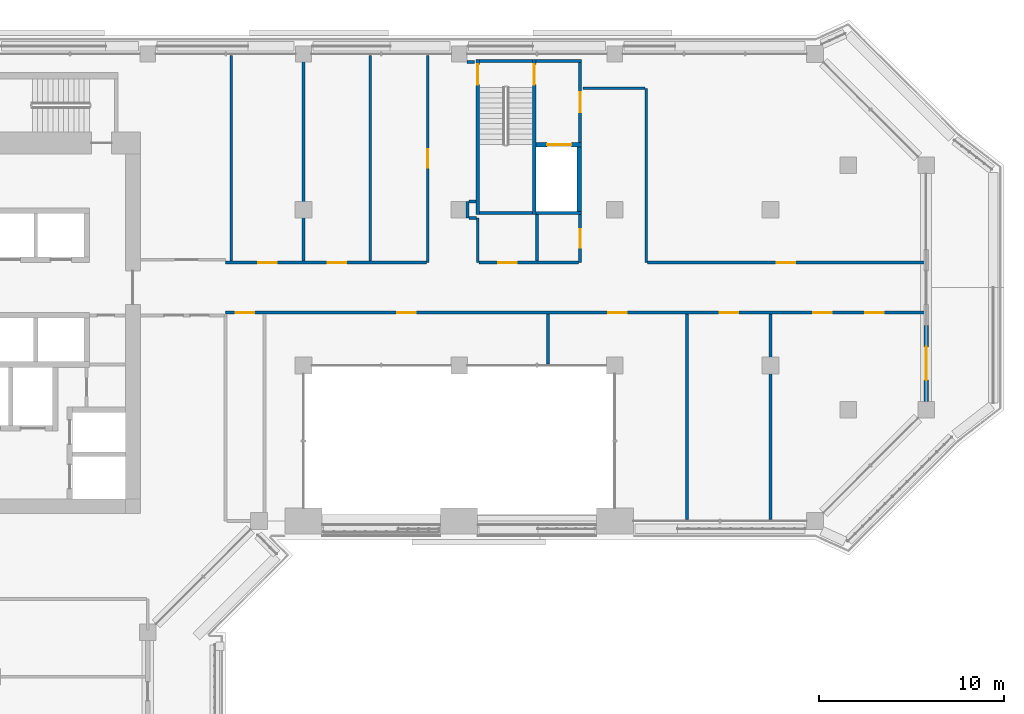
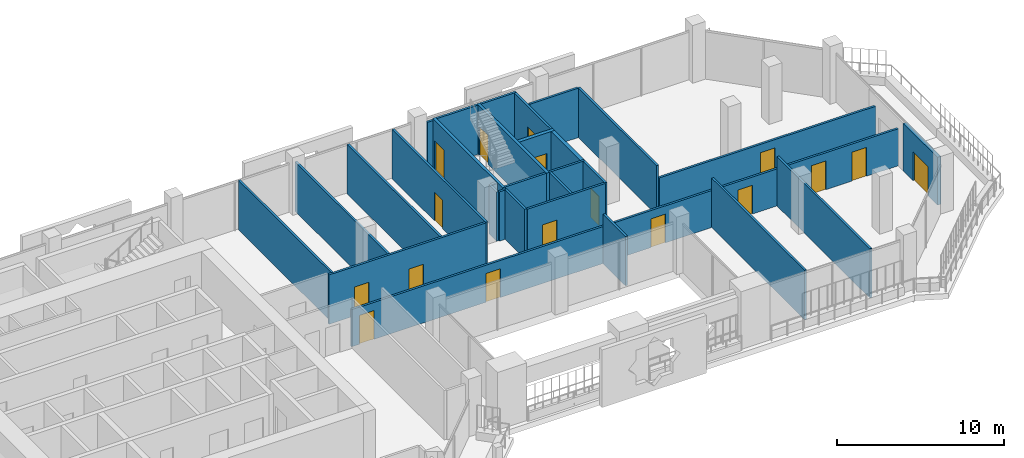
# One storey, part 15 of 23: 30 walls, 17 doors, 17 openings.
"""IFC4 building model written with IfcOpenShell, lengths in metres."""

from ifc_helpers import new_model, si_unit, direction, frame, frame_2d, origin, place, context, subcontext, project, spatial, rectangle, extrude, material, layer, layer_set, type_object, element, fill, save


model = new_model("IFC4")

# Units and contexts
model_context = context("Model", 3, precision=1e-05, world=origin(), true_north=direction((0.0, 1.0)))
body_context = subcontext(model_context, "Body", "Model", "MODEL_VIEW")
ifc_project = project(units=[si_unit("LENGTHUNIT", "METRE"), si_unit("AREAUNIT", "SQUARE_METRE"), si_unit("VOLUMEUNIT", "CUBIC_METRE"), si_unit("PLANEANGLEUNIT", "RADIAN"), si_unit("MASSUNIT", "GRAM", prefix="KILO")], contexts=[model_context])

# Site, building, storey
site_placement = place(None, origin())
site = spatial("IfcSite", under=ifc_project, at=site_placement, CompositionType="ELEMENT")
building_placement = place(site_placement, origin())
building = spatial("IfcBuilding", under=site, at=building_placement, Name="Kawkab Arch Medical Tower", CompositionType="ELEMENT")
storey_placement = place(building_placement, frame((0.0, 0.0, 226.39990234375)))
storey = spatial("IfcBuildingStorey", under=building, at=storey_placement, Name="L52", CompositionType="ELEMENT", Elevation=226.39990234375)

# Wall, opening, door
ifc_material_1 = material(Name="Gypsum board on steel studs", Category="steel")
ifc_layer_1 = layer(ifc_material_1, 0.14990234375)
ifc_layer_set_1 = layer_set([ifc_layer_1], Name="Gypsum board on steel studs")
wall_type_1 = type_object("IfcWallType", Name="Core room partition 150", PredefinedType="PARTITIONING", material=ifc_layer_set_1)
wall_1_placement = place(storey_placement, frame((48.52490234375, -4.77490234375, 0.0), z_axis=(0.0, 0.0, 1.0), x_axis=(0.0, 1.0, 0.0)))
wall_1 = element("IfcWall", 1, at=wall_1_placement, inside=storey, type_object=wall_type_1, Name="L52 core room partition", PredefinedType="PARTITIONING", context=body_context, shape_type="SweptSolid", body=[
    extrude(rectangle(XDim=4.324951171875, YDim=0.14990234375, at=frame_2d((2.16259765625, 0.0))), origin(), (0.0, 0.0, 1.0), 3.60009765625),
])
opening_1_placement = place(wall_1_placement, frame((1.625, 0.0, 0.0)))
opening_1 = element("IfcOpeningElement", 2, at=opening_1_placement, cuts=wall_1, Name="Opening FD", PredefinedType="OPENING", context=body_context, shape_type="SweptSolid", body=[
    extrude(rectangle(XDim=1.10009765625, YDim=2.10009765625, at=frame_2d((0.550048828125, 1.050048828125))), frame((0.0, 0.0849609375, 0.0), z_axis=(0.0, -1.0, 0.0), x_axis=(1.0, 0.0, 0.0)), (0.0, 0.0, 1.0), 0.169921875),
])
ifc_material_2 = material(Name="Hollow metal fire door leaf")
door_type_1 = type_object("IfcDoorType", Name="Firefighting lobby door 1100", OperationType="SINGLE_SWING_LEFT", PredefinedType="DOOR", material=ifc_material_2)
door_1_placement = place(opening_1_placement, origin())
door_1 = element("IfcDoor", 3, at=door_1_placement, inside=storey, type_object=door_type_1, Name="L52 Service lift lobby door SV1", OperationType="SINGLE_SWING_LEFT", OverallHeight=2.10009765625, OverallWidth=1.10009765625, PredefinedType="DOOR", context=body_context, shape_type="SweptSolid", body=[
    extrude(rectangle(XDim=1.10009765625, YDim=2.10009765625, at=frame_2d((0.550048828125, 1.050048828125))), frame((0.0, 0.02490234375, 0.0), z_axis=(0.0, -1.0, 0.0), x_axis=(1.0, 0.0, 0.0)), (0.0, 0.0, 1.0), 0.050048828125),
])
fill(opening_1, door_1)

ifc_material_3 = material(Name="Concrete C60/75", Category="concrete")
ifc_layer_2 = layer(ifc_material_3, 0.25)
ifc_layer_set_2 = layer_set([ifc_layer_2], Name="Concrete C60/75")
wall_type_2 = type_object("IfcWallType", Name="Core shear wall 250 C60/75", PredefinedType="SHEAR", material=ifc_layer_set_2)
wall_2_placement = place(storey_placement, frame((46.14990234375, -4.89990234375, 0.0), z_axis=(0.0, 0.0, 1.0), x_axis=(1.0, 0.0, 0.0)))
wall_2 = element("IfcWall", 4, at=wall_2_placement, inside=storey, type_object=wall_type_2, Name="L52 core shear wall", PredefinedType="SHEAR", context=body_context, shape_type="SweptSolid", body=[
    extrude(rectangle(XDim=2.4501953125, YDim=0.25, at=frame_2d((1.22509765625, 0.0))), origin(), (0.0, 0.0, 1.0), 3.60009765625),
])
opening_2_placement = place(wall_2_placement, frame((0.60009765625, 0.0, 0.0)))
opening_2 = element("IfcOpeningElement", 5, at=opening_2_placement, cuts=wall_2, Name="Opening LD2", PredefinedType="OPENING", context=body_context, shape_type="SweptSolid", body=[
    extrude(rectangle(XDim=1.300048828125, YDim=2.10009765625, at=frame_2d((0.64990234375, 1.050048828125))), frame((0.0, 0.135009765625, 0.0), z_axis=(0.0, -1.0, 0.0), x_axis=(1.0, 0.0, 0.0)), (0.0, 0.0, 1.0), 0.27001953125),
])
ifc_material_4 = material(Name="Stainless steel lift door leaf", Category="steel")
door_type_2 = type_object("IfcDoorType", Name="Lift landing door 1300", OperationType="DOUBLE_DOOR_SLIDING", PredefinedType="DOOR", material=ifc_material_4)
door_2_placement = place(opening_2_placement, origin())
door_2 = element("IfcDoor", 6, at=door_2_placement, inside=storey, type_object=door_type_2, Name="L52 Lift landing door SV1", OperationType="DOUBLE_DOOR_SLIDING", OverallHeight=2.10009765625, OverallWidth=1.300048828125, PredefinedType="DOOR", context=body_context, shape_type="SweptSolid", body=[
    extrude(rectangle(XDim=1.300048828125, YDim=2.10009765625, at=frame_2d((0.64990234375, 1.050048828125))), frame((0.0, 0.02490234375, 0.0), z_axis=(0.0, -1.0, 0.0), x_axis=(1.0, 0.0, 0.0)), (0.0, 0.0, 1.0), 0.050048828125),
])
fill(opening_2, door_2)

# Wall
wall_3_placement = place(storey_placement, frame((48.47509765625, -8.5, 0.0), z_axis=(0.0, 0.0, 1.0), x_axis=(0.0, 1.0, 0.0)))
element("IfcWall", 7, at=wall_3_placement, inside=storey, type_object=wall_type_2, Name="L52 core shear wall", PredefinedType="SHEAR", context=body_context, shape_type="SweptSolid", body=[
    extrude(rectangle(XDim=3.47509765625, YDim=0.25, at=frame_2d((1.737548828125, 0.0))), origin(), (0.0, 0.0, 1.0), 3.60009765625),
])

# Wall, opening, door
ifc_material_5 = material(Name="Bronze clad insulated wall panel")
ifc_layer_3 = layer(ifc_material_5, 0.25)
ifc_layer_set_3 = layer_set([ifc_layer_3], Name="Bronze clad insulated wall panel")
wall_type_3 = type_object("IfcWallType", Name="External wall bay 250", PredefinedType="SOLIDWALL", material=ifc_layer_set_3)
wall_4_placement = place(storey_placement, frame((67.199951171875, -18.75, 0.0), z_axis=(0.0, 0.0, 1.0), x_axis=(0.0, 1.0, 0.0)))
wall_4 = element("IfcWall", 8, at=wall_4_placement, inside=storey, type_object=wall_type_3, Name="External wall bay L52.R07.1.1", PredefinedType="SOLIDWALL", context=body_context, shape_type="SweptSolid", body=[
    extrude(rectangle(XDim=4.10009765625, YDim=0.25, at=frame_2d((2.050048828125, 0.0))), origin(), (0.0, 0.0, 1.0), 3.47998046875),
])
opening_3_placement = place(wall_4_placement, frame((1.14990234375, 0.0, 0.0)))
opening_3 = element("IfcOpeningElement", 9, at=opening_3_placement, cuts=wall_4, Name="Opening B52-701", PredefinedType="OPENING", context=body_context, shape_type="SweptSolid", body=[
    extrude(rectangle(XDim=1.800048828125, YDim=2.10009765625, at=frame_2d((0.89990234375, 1.050048828125))), frame((0.0, 0.135009765625, 0.0), z_axis=(0.0, -1.0, 0.0), x_axis=(1.0, 0.0, 0.0)), (0.0, 0.0, 1.0), 0.27001953125),
])
ifc_material_6 = material(Name="Bronze anodised aluminium door with tinted glass", Category="aluminium")
door_type_3 = type_object("IfcDoorType", Name="Double external door 1800 x 2100", OperationType="DOUBLE_DOOR_SINGLE_SWING", PredefinedType="DOOR", material=ifc_material_6)
door_3_placement = place(opening_3_placement, origin())
door_3 = element("IfcDoor", 10, at=door_3_placement, inside=storey, type_object=door_type_3, Name="External door L52.R07.1.1", OperationType="DOUBLE_DOOR_SINGLE_SWING", OverallHeight=2.10009765625, OverallWidth=1.800048828125, PredefinedType="DOOR", context=body_context, shape_type="SweptSolid", body=[
    extrude(rectangle(XDim=1.800048828125, YDim=2.10009765625, at=frame_2d((0.89990234375, 1.050048828125))), frame((0.0, 0.02490234375, 0.0), z_axis=(0.0, -1.0, 0.0), x_axis=(1.0, 0.0, 0.0)), (0.0, 0.0, 1.0), 0.050048828125),
])
fill(opening_3, door_3)

# Wall, openings, doors
ifc_material_7 = material(Name="Gypsum board partition on steel studs, mineral wool", Category="steel")
ifc_layer_4 = layer(ifc_material_7, 0.14990234375)
ifc_layer_set_4 = layer_set([ifc_layer_4], Name="Gypsum board partition on steel studs, mineral wool")
wall_type_4 = type_object("IfcWallType", Name="Partition 150", PredefinedType="PARTITIONING", material=ifc_layer_set_4)
wall_5_placement = place(storey_placement, frame((29.39990234375, -13.949951171875, 0.0), z_axis=(0.0, 0.0, 1.0), x_axis=(1.0, 0.0, 0.0)))
wall_5 = element("IfcWall", 11, at=wall_5_placement, inside=storey, type_object=wall_type_4, Name="Partition 150 w015", PredefinedType="PARTITIONING", context=body_context, shape_type="SweptSolid", body=[
    extrude(rectangle(XDim=37.72021484375, YDim=0.14990234375, at=frame_2d((18.860107421875, 0.0))), origin(), (0.0, 0.0, 1.0), 2.7001953125),
])
opening_4_placement = place(wall_5_placement, frame((20.64990234375, 0.0, 0.0)))
opening_4 = element("IfcOpeningElement", 12, at=opening_4_placement, cuts=wall_5, Name="Opening B52-011", PredefinedType="OPENING", context=body_context, shape_type="SweptSolid", body=[
    extrude(rectangle(XDim=1.0, YDim=2.10009765625, at=frame_2d((0.5, 1.050048828125))), frame((0.0, 0.0849609375, 0.0), z_axis=(0.0, -1.0, 0.0), x_axis=(1.0, 0.0, 0.0)), (0.0, 0.0, 1.0), 0.169921875),
])
opening_5_placement = place(wall_5_placement, frame((26.64990234375, 0.0, 0.0)))
opening_5 = element("IfcOpeningElement", 13, at=opening_5_placement, cuts=wall_5, Name="Opening B52-012", PredefinedType="OPENING", context=body_context, shape_type="SweptSolid", body=[
    extrude(rectangle(XDim=1.0, YDim=2.10009765625, at=frame_2d((0.5, 1.050048828125))), frame((0.0, 0.0849609375, 0.0), z_axis=(0.0, -1.0, 0.0), x_axis=(1.0, 0.0, 0.0)), (0.0, 0.0, 1.0), 0.169921875),
])
opening_6_placement = place(wall_5_placement, frame((34.5, 0.0, 0.0)))
opening_6 = element("IfcOpeningElement", 14, at=opening_6_placement, cuts=wall_5, Name="Opening B52-013", PredefinedType="OPENING", context=body_context, shape_type="SweptSolid", body=[
    extrude(rectangle(XDim=1.0, YDim=2.10009765625, at=frame_2d((0.5, 1.050048828125))), frame((0.0, 0.0849609375, 0.0), z_axis=(0.0, -1.0, 0.0), x_axis=(1.0, 0.0, 0.0)), (0.0, 0.0, 1.0), 0.169921875),
])
opening_7_placement = place(wall_5_placement, frame((31.699951171875, 0.0, 0.0)))
opening_7 = element("IfcOpeningElement", 15, at=opening_7_placement, cuts=wall_5, Name="Opening B52-014", PredefinedType="OPENING", context=body_context, shape_type="SweptSolid", body=[
    extrude(rectangle(XDim=1.0, YDim=2.10009765625, at=frame_2d((0.5, 1.050048828125))), frame((0.0, 0.0849609375, 0.0), z_axis=(0.0, -1.0, 0.0), x_axis=(1.0, 0.0, 0.0)), (0.0, 0.0, 1.0), 0.169921875),
])
opening_8_placement = place(wall_5_placement, frame((0.550048828125, 0.0, 0.0)))
opening_8 = element("IfcOpeningElement", 16, at=opening_8_placement, cuts=wall_5, Name="Opening B52-002", PredefinedType="OPENING", context=body_context, shape_type="SweptSolid", body=[
    extrude(rectangle(XDim=1.0, YDim=2.10009765625, at=frame_2d((0.5, 1.050048828125))), frame((0.0, 0.0849609375, 0.0), z_axis=(0.0, -1.0, 0.0), x_axis=(1.0, 0.0, 0.0)), (0.0, 0.0, 1.0), 0.169921875),
])
opening_9_placement = place(wall_5_placement, frame((9.25, 0.0, 0.0)))
opening_9 = element("IfcOpeningElement", 17, at=opening_9_placement, cuts=wall_5, Name="Opening B52-022", PredefinedType="OPENING", context=body_context, shape_type="SweptSolid", body=[
    extrude(rectangle(XDim=1.0, YDim=2.10009765625, at=frame_2d((0.5, 1.050048828125))), frame((0.0, 0.0849609375, 0.0), z_axis=(0.0, -1.0, 0.0), x_axis=(1.0, 0.0, 0.0)), (0.0, 0.0, 1.0), 0.169921875),
])
ifc_material_8 = material(Name="Timber door leaf", Category="wood")
door_type_4 = type_object("IfcDoorType", Name="Single door 1000x2100", OperationType="NOTDEFINED", PredefinedType="DOOR", material=ifc_material_8)
door_4_placement = place(opening_8_placement, origin())
door_4 = element("IfcDoor", 18, at=door_4_placement, inside=storey, type_object=door_type_4, Name="Door B52-002", OperationType="SINGLE_SWING_RIGHT", OverallHeight=2.10009765625, OverallWidth=1.0, PredefinedType="DOOR", context=body_context, shape_type="SweptSolid", body=[
    extrude(rectangle(XDim=1.0, YDim=2.10009765625, at=frame_2d((0.5, 1.050048828125))), frame((0.0, 0.02490234375, 0.0), z_axis=(0.0, -1.0, 0.0), x_axis=(1.0, 0.0, 0.0)), (0.0, 0.0, 1.0), 0.050048828125),
])
fill(opening_8, door_4)
ifc_material_9 = material(Name="Hollow metal door leaf")
door_type_5 = type_object("IfcDoorType", Name="Single door 1000x2100 FD30S", OperationType="NOTDEFINED", PredefinedType="DOOR", material=ifc_material_9)
door_5_placement = place(opening_4_placement, origin())
door_5 = element("IfcDoor", 19, at=door_5_placement, inside=storey, type_object=door_type_5, Name="Door B52-011", OperationType="SINGLE_SWING_LEFT", OverallHeight=2.10009765625, OverallWidth=1.0, PredefinedType="DOOR", context=body_context, shape_type="SweptSolid", body=[
    extrude(rectangle(XDim=1.0, YDim=2.10009765625, at=frame_2d((0.5, 1.050048828125))), frame((0.0, 0.02490234375, 0.0), z_axis=(0.0, -1.0, 0.0), x_axis=(1.0, 0.0, 0.0)), (0.0, 0.0, 1.0), 0.050048828125),
])
fill(opening_4, door_5)
door_6_placement = place(opening_5_placement, origin())
door_6 = element("IfcDoor", 20, at=door_6_placement, inside=storey, type_object=door_type_5, Name="Door B52-012", OperationType="SINGLE_SWING_LEFT", OverallHeight=2.10009765625, OverallWidth=1.0, PredefinedType="DOOR", context=body_context, shape_type="SweptSolid", body=[
    extrude(rectangle(XDim=1.0, YDim=2.10009765625, at=frame_2d((0.5, 1.050048828125))), frame((0.0, 0.02490234375, 0.0), z_axis=(0.0, -1.0, 0.0), x_axis=(1.0, 0.0, 0.0)), (0.0, 0.0, 1.0), 0.050048828125),
])
fill(opening_5, door_6)
door_7_placement = place(opening_6_placement, origin())
door_7 = element("IfcDoor", 21, at=door_7_placement, inside=storey, type_object=door_type_5, Name="Door B52-013", OperationType="SINGLE_SWING_LEFT", OverallHeight=2.10009765625, OverallWidth=1.0, PredefinedType="DOOR", context=body_context, shape_type="SweptSolid", body=[
    extrude(rectangle(XDim=1.0, YDim=2.10009765625, at=frame_2d((0.5, 1.050048828125))), frame((0.0, 0.02490234375, 0.0), z_axis=(0.0, -1.0, 0.0), x_axis=(1.0, 0.0, 0.0)), (0.0, 0.0, 1.0), 0.050048828125),
])
fill(opening_6, door_7)
door_8_placement = place(opening_7_placement, origin())
door_8 = element("IfcDoor", 22, at=door_8_placement, inside=storey, type_object=door_type_5, Name="Door B52-014", OperationType="SINGLE_SWING_LEFT", OverallHeight=2.10009765625, OverallWidth=1.0, PredefinedType="DOOR", context=body_context, shape_type="SweptSolid", body=[
    extrude(rectangle(XDim=1.0, YDim=2.10009765625, at=frame_2d((0.5, 1.050048828125))), frame((0.0, 0.02490234375, 0.0), z_axis=(0.0, -1.0, 0.0), x_axis=(1.0, 0.0, 0.0)), (0.0, 0.0, 1.0), 0.050048828125),
])
fill(opening_7, door_8)
door_9_placement = place(opening_9_placement, origin())
door_9 = element("IfcDoor", 23, at=door_9_placement, inside=storey, type_object=door_type_5, Name="Door B52-022", OperationType="SINGLE_SWING_RIGHT", OverallHeight=2.10009765625, OverallWidth=1.0, PredefinedType="DOOR", context=body_context, shape_type="SweptSolid", body=[
    extrude(rectangle(XDim=1.0, YDim=2.10009765625, at=frame_2d((0.5, 1.050048828125))), frame((0.0, 0.02490234375, 0.0), z_axis=(0.0, -1.0, 0.0), x_axis=(1.0, 0.0, 0.0)), (0.0, 0.0, 1.0), 0.050048828125),
])
fill(opening_9, door_9)

wall_6_placement = place(storey_placement, frame((29.39990234375, -11.25, 0.0), z_axis=(0.0, 0.0, 1.0), x_axis=(1.0, 0.0, 0.0)))
wall_6 = element("IfcWall", 24, at=wall_6_placement, inside=storey, type_object=wall_type_4, Name="Partition 150 w016", PredefinedType="PARTITIONING", context=body_context, shape_type="SweptSolid", body=[
    extrude(rectangle(XDim=10.83203125, YDim=0.14990234375, at=frame_2d((5.416015625, 0.0))), origin(), (0.0, 0.0, 1.0), 3.60009765625),
])
opening_10_placement = place(wall_6_placement, frame((1.75, 0.0, 0.0)))
opening_10 = element("IfcOpeningElement", 25, at=opening_10_placement, cuts=wall_6, Name="Opening B52-005", PredefinedType="OPENING", context=body_context, shape_type="SweptSolid", body=[
    extrude(rectangle(XDim=1.0, YDim=2.10009765625, at=frame_2d((0.5, 1.050048828125))), frame((0.0, 0.0849609375, 0.0), z_axis=(0.0, -1.0, 0.0), x_axis=(1.0, 0.0, 0.0)), (0.0, 0.0, 1.0), 0.169921875),
])
opening_11_placement = place(wall_6_placement, frame((5.5, 0.0, 0.0)))
opening_11 = element("IfcOpeningElement", 26, at=opening_11_placement, cuts=wall_6, Name="Opening B52-006", PredefinedType="OPENING", context=body_context, shape_type="SweptSolid", body=[
    extrude(rectangle(XDim=1.0, YDim=2.10009765625, at=frame_2d((0.5, 1.050048828125))), frame((0.0, 0.0849609375, 0.0), z_axis=(0.0, -1.0, 0.0), x_axis=(1.0, 0.0, 0.0)), (0.0, 0.0, 1.0), 0.169921875),
])
door_10_placement = place(opening_10_placement, origin())
door_10 = element("IfcDoor", 27, at=door_10_placement, inside=storey, type_object=door_type_5, Name="Door B52-005", OperationType="SINGLE_SWING_LEFT", OverallHeight=2.10009765625, OverallWidth=1.0, PredefinedType="DOOR", context=body_context, shape_type="SweptSolid", body=[
    extrude(rectangle(XDim=1.0, YDim=2.10009765625, at=frame_2d((0.5, 1.050048828125))), frame((0.0, 0.02490234375, 0.0), z_axis=(0.0, -1.0, 0.0), x_axis=(1.0, 0.0, 0.0)), (0.0, 0.0, 1.0), 0.050048828125),
])
fill(opening_10, door_10)
door_11_placement = place(opening_11_placement, origin())
door_11 = element("IfcDoor", 28, at=door_11_placement, inside=storey, type_object=door_type_5, Name="Door B52-006", OperationType="SINGLE_SWING_RIGHT", OverallHeight=2.10009765625, OverallWidth=1.0, PredefinedType="DOOR", context=body_context, shape_type="SweptSolid", body=[
    extrude(rectangle(XDim=1.0, YDim=2.10009765625, at=frame_2d((0.5, 1.050048828125))), frame((0.0, 0.02490234375, 0.0), z_axis=(0.0, -1.0, 0.0), x_axis=(1.0, 0.0, 0.0)), (0.0, 0.0, 1.0), 0.050048828125),
])
fill(opening_11, door_11)

# Wall, opening, door
wall_7_placement = place(storey_placement, frame((43.074951171875, -11.25, 0.0), z_axis=(0.0, 0.0, 1.0), x_axis=(1.0, 0.0, 0.0)))
wall_7 = element("IfcWall", 29, at=wall_7_placement, inside=storey, type_object=wall_type_4, Name="Partition 150 w017", PredefinedType="PARTITIONING", context=body_context, shape_type="SweptSolid", body=[
    extrude(rectangle(XDim=5.375, YDim=0.14990234375, at=frame_2d((2.6875, 0.0))), origin(), (0.0, 0.0, 1.0), 3.60009765625),
])
opening_12_placement = place(wall_7_placement, frame((1.02490234375, 0.0, 0.0)))
opening_12 = element("IfcOpeningElement", 30, at=opening_12_placement, cuts=wall_7, Name="Opening B52-008", PredefinedType="OPENING", context=body_context, shape_type="SweptSolid", body=[
    extrude(rectangle(XDim=1.0, YDim=2.10009765625, at=frame_2d((0.5, 1.050048828125))), frame((0.0, 0.0849609375, 0.0), z_axis=(0.0, -1.0, 0.0), x_axis=(1.0, 0.0, 0.0)), (0.0, 0.0, 1.0), 0.169921875),
])
door_12_placement = place(opening_12_placement, origin())
door_12 = element("IfcDoor", 31, at=door_12_placement, inside=storey, type_object=door_type_5, Name="Door B52-008", OperationType="SINGLE_SWING_LEFT", OverallHeight=2.10009765625, OverallWidth=1.0, PredefinedType="DOOR", context=body_context, shape_type="SweptSolid", body=[
    extrude(rectangle(XDim=1.0, YDim=2.10009765625, at=frame_2d((0.5, 1.050048828125))), frame((0.0, 0.02490234375, 0.0), z_axis=(0.0, -1.0, 0.0), x_axis=(1.0, 0.0, 0.0)), (0.0, 0.0, 1.0), 0.050048828125),
])
fill(opening_12, door_12)

wall_8_placement = place(storey_placement, frame((52.16796875, -11.25, 0.0), z_axis=(0.0, 0.0, 1.0), x_axis=(1.0, 0.0, 0.0)))
wall_8 = element("IfcWall", 32, at=wall_8_placement, inside=storey, type_object=wall_type_4, Name="Partition 150 w018", PredefinedType="PARTITIONING", context=body_context, shape_type="SweptSolid", body=[
    extrude(rectangle(XDim=14.9521484375, YDim=0.14990234375, at=frame_2d((7.47607421875, 0.0))), origin(), (0.0, 0.0, 1.0), 2.7001953125),
])
opening_13_placement = place(wall_8_placement, frame((6.97900390625, 0.0, 0.0)))
opening_13 = element("IfcOpeningElement", 33, at=opening_13_placement, cuts=wall_8, Name="Opening B52-010", PredefinedType="OPENING", context=body_context, shape_type="SweptSolid", body=[
    extrude(rectangle(XDim=1.0, YDim=2.10009765625, at=frame_2d((0.5, 1.050048828125))), frame((0.0, 0.0849609375, 0.0), z_axis=(0.0, -1.0, 0.0), x_axis=(1.0, 0.0, 0.0)), (0.0, 0.0, 1.0), 0.169921875),
])
door_13_placement = place(opening_13_placement, origin())
door_13 = element("IfcDoor", 34, at=door_13_placement, inside=storey, type_object=door_type_5, Name="Door B52-010", OperationType="SINGLE_SWING_RIGHT", OverallHeight=2.10009765625, OverallWidth=1.0, PredefinedType="DOOR", context=body_context, shape_type="SweptSolid", body=[
    extrude(rectangle(XDim=1.0, YDim=2.10009765625, at=frame_2d((0.5, 1.050048828125))), frame((0.0, 0.02490234375, 0.0), z_axis=(0.0, -1.0, 0.0), x_axis=(1.0, 0.0, 0.0)), (0.0, 0.0, 1.0), 0.050048828125),
])
fill(opening_13, door_13)

# Walls
wall_9_placement = place(storey_placement, frame((42.52490234375, -8.85009765625, 0.0), z_axis=(0.0, 0.0, 1.0), x_axis=(1.0, 0.0, 0.0)))
element("IfcWall", 35, at=wall_9_placement, inside=storey, type_object=wall_type_4, Name="Partition 150 w020", PredefinedType="PARTITIONING", context=body_context, shape_type="SweptSolid", body=[
    extrude(rectangle(XDim=0.400146484375, YDim=0.14990234375, at=frame_2d((0.2001953125, 0.0))), origin(), (0.0, 0.0, 1.0), 3.60009765625),
])
wall_10_placement = place(storey_placement, frame((42.52587890625, -7.949951171875, 0.0), z_axis=(0.0, 0.0, 1.0), x_axis=(1.0, 0.0, 0.0)))
element("IfcWall", 36, at=wall_10_placement, inside=storey, type_object=wall_type_4, Name="Partition 150 w021", PredefinedType="PARTITIONING", context=body_context, shape_type="SweptSolid", body=[
    extrude(rectangle(XDim=0.3740234375, YDim=0.14990234375, at=frame_2d((0.18701171875, 0.0))), origin(), (0.0, 0.0, 1.0), 3.60009765625),
])
wall_11_placement = place(storey_placement, frame((48.679931640625, -1.85009765625, 0.0), z_axis=(0.0, 0.0, 1.0), x_axis=(1.0, 0.0, 0.0)))
element("IfcWall", 37, at=wall_11_placement, inside=storey, type_object=wall_type_4, Name="Partition 150 w022", PredefinedType="PARTITIONING", context=body_context, shape_type="SweptSolid", body=[
    extrude(rectangle(XDim=3.336181640625, YDim=0.14990234375, at=frame_2d((1.66796875, 0.0))), origin(), (0.0, 0.0, 1.0), 3.60009765625),
])
wall_12_placement = place(storey_placement, frame((42.425048828125, -0.425048828125, 0.0), z_axis=(0.0, 0.0, 1.0), x_axis=(1.0, 0.0, 0.0)))
element("IfcWall", 38, at=wall_12_placement, inside=storey, type_object=wall_type_4, Name="Partition 150 w023", PredefinedType="PARTITIONING", context=body_context, shape_type="SweptSolid", body=[
    extrude(rectangle(XDim=0.39501953125, YDim=0.14990234375, at=frame_2d((0.197509765625, 0.0))), origin(), (0.0, 0.0, 1.0), 3.60009765625),
])
for number, where, z_axis, x_axis, name in (
    (39, (29.699951171875, -11.175048828125, 0.0), (0.0, 0.0, 1.0), (0.0, 1.0, 0.0), "Partition 150 w038"),
    (40, (33.60009765625, -11.175048828125, 0.0), (0.0, 0.0, 1.0), (0.0, 1.0, 0.0), "Partition 150 w040"),
    (41, (37.199951171875, -11.175048828125, 0.0), (0.0, 0.0, 1.0), (0.0, 1.0, 0.0), "Partition 150 w041"),
):
    element("IfcWall", number, at=place(storey_placement, frame(where, z_axis=z_axis, x_axis=x_axis)), inside=storey, type_object=wall_type_4, Name=name, PredefinedType="PARTITIONING", context=body_context, shape_type="SweptSolid", body=[
        extrude(rectangle(XDim=11.094970703125, YDim=0.14990234375, at=frame_2d((5.54736328125, 0.0))), origin(), (0.0, 0.0, 1.0), 3.60009765625),
    ])

# Wall, opening, door
wall_13_placement = place(storey_placement, frame((40.306884765625, -11.25, 0.0), z_axis=(0.0, 0.0, 1.0), x_axis=(0.0, 1.0, 0.0)))
wall_13 = element("IfcWall", 42, at=wall_13_placement, inside=storey, type_object=wall_type_4, Name="Partition 150 w042", PredefinedType="PARTITIONING", context=body_context, shape_type="SweptSolid", body=[
    extrude(rectangle(XDim=11.169921875, YDim=0.14990234375, at=frame_2d((5.5849609375, 0.0))), origin(), (0.0, 0.0, 1.0), 3.60009765625),
])
opening_14_placement = place(wall_13_placement, frame((5.125, 0.0, 0.0)))
opening_14 = element("IfcOpeningElement", 43, at=opening_14_placement, cuts=wall_13, Name="Opening B52-007", PredefinedType="OPENING", context=body_context, shape_type="SweptSolid", body=[
    extrude(rectangle(XDim=1.0, YDim=2.10009765625, at=frame_2d((0.5, 1.050048828125))), frame((0.0, 0.0849609375, 0.0), z_axis=(0.0, -1.0, 0.0), x_axis=(1.0, 0.0, 0.0)), (0.0, 0.0, 1.0), 0.169921875),
])
door_14_placement = place(opening_14_placement, origin())
door_14 = element("IfcDoor", 44, at=door_14_placement, inside=storey, type_object=door_type_5, Name="Door B52-007", OperationType="SINGLE_SWING_LEFT", OverallHeight=2.10009765625, OverallWidth=1.0, PredefinedType="DOOR", context=body_context, shape_type="SweptSolid", body=[
    extrude(rectangle(XDim=1.0, YDim=2.10009765625, at=frame_2d((0.5, 1.050048828125))), frame((0.0, 0.02490234375, 0.0), z_axis=(0.0, -1.0, 0.0), x_axis=(1.0, 0.0, 0.0)), (0.0, 0.0, 1.0), 0.050048828125),
])
fill(opening_14, door_14)

# Walls
wall_14_placement = place(storey_placement, frame((42.449951171875, -8.85009765625, 0.0), z_axis=(0.0, 0.0, 1.0), x_axis=(0.0, 1.0, 0.0)))
element("IfcWall", 45, at=wall_14_placement, inside=storey, type_object=wall_type_4, Name="Partition 150 w043", PredefinedType="PARTITIONING", context=body_context, shape_type="SweptSolid", body=[
    extrude(rectangle(XDim=0.899169921875, YDim=0.14990234375, at=frame_2d((0.44970703125, 0.0))), origin(), (0.0, 0.0, 1.0), 3.60009765625),
])
wall_15_placement = place(storey_placement, frame((43.0, -11.25, 0.0), z_axis=(0.0, 0.0, 1.0), x_axis=(0.0, 1.0, 0.0)))
element("IfcWall", 46, at=wall_15_placement, inside=storey, type_object=wall_type_4, Name="Partition 150 w044", PredefinedType="PARTITIONING", context=body_context, shape_type="SweptSolid", body=[
    extrude(rectangle(XDim=2.39990234375, YDim=0.14990234375, at=frame_2d((1.199951171875, 0.0))), origin(), (0.0, 0.0, 1.0), 3.60009765625),
])
wall_16_placement = place(storey_placement, frame((46.199951171875, -11.175048828125, 0.0), z_axis=(0.0, 0.0, 1.0), x_axis=(0.0, 1.0, 0.0)))
element("IfcWall", 47, at=wall_16_placement, inside=storey, type_object=wall_type_4, Name="Partition 150 w045", PredefinedType="PARTITIONING", context=body_context, shape_type="SweptSolid", body=[
    extrude(rectangle(XDim=2.525146484375, YDim=0.14990234375, at=frame_2d((1.2626953125, 0.0))), origin(), (0.0, 0.0, 1.0), 3.60009765625),
])
wall_17_placement = place(storey_placement, frame((46.800048828125, -16.719970703125, 0.0), z_axis=(0.0, 0.0, 1.0), x_axis=(0.0, 1.0, 0.0)))
element("IfcWall", 48, at=wall_17_placement, inside=storey, type_object=wall_type_4, Name="Partition 150 w046", PredefinedType="PARTITIONING", context=body_context, shape_type="SweptSolid", body=[
    extrude(rectangle(XDim=2.695068359375, YDim=0.14990234375, at=frame_2d((1.34765625, 0.0))), origin(), (0.0, 0.0, 1.0), 3.60009765625),
])

# Wall, opening, door
wall_18_placement = place(storey_placement, frame((48.52490234375, -11.25, 0.0), z_axis=(0.0, 0.0, 1.0), x_axis=(0.0, 1.0, 0.0)))
wall_18 = element("IfcWall", 49, at=wall_18_placement, inside=storey, type_object=wall_type_4, Name="Partition 150 w047", PredefinedType="PARTITIONING", context=body_context, shape_type="SweptSolid", body=[
    extrude(rectangle(XDim=2.60009765625, YDim=0.14990234375, at=frame_2d((1.300048828125, 0.0))), origin(), (0.0, 0.0, 1.0), 3.60009765625),
])
opening_15_placement = place(wall_18_placement, frame((0.800048828125, 0.0, 0.0)))
opening_15 = element("IfcOpeningElement", 50, at=opening_15_placement, cuts=wall_18, Name="Opening B52-009", PredefinedType="OPENING", context=body_context, shape_type="SweptSolid", body=[
    extrude(rectangle(XDim=1.0, YDim=2.10009765625, at=frame_2d((0.5, 1.050048828125))), frame((0.0, 0.0849609375, 0.0), z_axis=(0.0, -1.0, 0.0), x_axis=(1.0, 0.0, 0.0)), (0.0, 0.0, 1.0), 0.169921875),
])
door_15_placement = place(opening_15_placement, origin())
door_15 = element("IfcDoor", 51, at=door_15_placement, inside=storey, type_object=door_type_5, Name="Door B52-009", OperationType="SINGLE_SWING_LEFT", OverallHeight=2.10009765625, OverallWidth=1.0, PredefinedType="DOOR", context=body_context, shape_type="SweptSolid", body=[
    extrude(rectangle(XDim=1.0, YDim=2.10009765625, at=frame_2d((0.5, 1.050048828125))), frame((0.0, 0.02490234375, 0.0), z_axis=(0.0, -1.0, 0.0), x_axis=(1.0, 0.0, 0.0)), (0.0, 0.0, 1.0), 0.050048828125),
])
fill(opening_15, door_15)

# Walls
wall_19_placement = place(storey_placement, frame((52.093017578125, -11.25, 0.0), z_axis=(0.0, 0.0, 1.0), x_axis=(0.0, 1.0, 0.0)))
element("IfcWall", 52, at=wall_19_placement, inside=storey, type_object=wall_type_4, Name="Partition 150 w048", PredefinedType="PARTITIONING", context=body_context, shape_type="SweptSolid", body=[
    extrude(rectangle(XDim=9.39892578125, YDim=0.14990234375, at=frame_2d((4.699462890625, 0.0))), origin(), (0.0, 0.0, 1.0), 3.60009765625),
])
for number, where, z_axis, x_axis, name in (
    (53, (54.300048828125, -25.1201171875, 0.0), (0.0, 0.0, 1.0), (0.0, 1.0, 0.0), "Partition 150 w049"),
    (54, (58.800048828125, -25.1201171875, 0.0), (0.0, 0.0, 1.0), (0.0, 1.0, 0.0), "Partition 150 w050"),
):
    element("IfcWall", number, at=place(storey_placement, frame(where, z_axis=z_axis, x_axis=x_axis)), inside=storey, type_object=wall_type_4, Name=name, PredefinedType="PARTITIONING", context=body_context, shape_type="SweptSolid", body=[
        extrude(rectangle(XDim=11.09521484375, YDim=0.14990234375, at=frame_2d((5.547607421875, 0.0))), origin(), (0.0, 0.0, 1.0), 3.60009765625),
    ])
ifc_material_10 = material(Name="Concrete C50/60", Category="concrete")
ifc_layer_5 = layer(ifc_material_10, 0.14990234375)
ifc_layer_set_5 = layer_set([ifc_layer_5], Name="Concrete C50/60")
wall_type_5 = type_object("IfcWallType", Name="Stair enclosure wall 150 C50/60", PredefinedType="SHEAR", material=ifc_layer_set_5)
wall_20_placement = place(storey_placement, frame((43.10009765625, -0.375, 0.0), z_axis=(0.0, 0.0, 1.0), x_axis=(1.0, 0.0, 0.0)))
element("IfcWall", 55, at=wall_20_placement, inside=storey, type_object=wall_type_5, Name="L52 stair enclosure wall", PredefinedType="SHEAR", context=body_context, shape_type="SweptSolid", body=[
    extrude(rectangle(XDim=2.849853515625, YDim=0.14990234375, at=frame_2d((1.4248046875, 0.0))), origin(), (0.0, 0.0, 1.0), 3.60009765625),
])
wall_21_placement = place(storey_placement, frame((46.14990234375, -0.375, 0.0), z_axis=(0.0, 0.0, 1.0), x_axis=(1.0, 0.0, 0.0)))
element("IfcWall", 56, at=wall_21_placement, inside=storey, type_object=wall_type_5, Name="L52 stair enclosure wall", PredefinedType="SHEAR", context=body_context, shape_type="SweptSolid", body=[
    extrude(rectangle(XDim=2.4501953125, YDim=0.14990234375, at=frame_2d((1.22509765625, 0.0))), origin(), (0.0, 0.0, 1.0), 3.60009765625),
])
wall_22_placement = place(storey_placement, frame((43.10009765625, -8.574951171875, 0.0), z_axis=(0.0, 0.0, 1.0), x_axis=(1.0, 0.0, 0.0)))
element("IfcWall", 57, at=wall_22_placement, inside=storey, type_object=wall_type_5, Name="L52 stair enclosure wall", PredefinedType="SHEAR", context=body_context, shape_type="SweptSolid", body=[
    extrude(rectangle(XDim=2.849853515625, YDim=0.14990234375, at=frame_2d((1.4248046875, 0.0))), origin(), (0.0, 0.0, 1.0), 3.60009765625),
])
wall_23_placement = place(storey_placement, frame((46.14990234375, -8.574951171875, 0.0), z_axis=(0.0, 0.0, 1.0), x_axis=(1.0, 0.0, 0.0)))
element("IfcWall", 58, at=wall_23_placement, inside=storey, type_object=wall_type_5, Name="L52 stair enclosure wall", PredefinedType="SHEAR", context=body_context, shape_type="SweptSolid", body=[
    extrude(rectangle(XDim=2.4501953125, YDim=0.14990234375, at=frame_2d((1.22509765625, 0.0))), origin(), (0.0, 0.0, 1.0), 3.60009765625),
])

# Wall, opening, door
ifc_material_11 = material(Name="Concrete C50/60", Category="concrete")
ifc_layer_6 = layer(ifc_material_11, 0.199951171875)
ifc_layer_set_6 = layer_set([ifc_layer_6], Name="Concrete C50/60")
wall_type_6 = type_object("IfcWallType", Name="Stair enclosure wall 200 C50/60", PredefinedType="SHEAR", material=ifc_layer_set_6)
wall_24_placement = place(storey_placement, frame((43.0, -8.64990234375, 0.0), z_axis=(0.0, 0.0, 1.0), x_axis=(0.0, 1.0, 0.0)))
wall_24 = element("IfcWall", 59, at=wall_24_placement, inside=storey, type_object=wall_type_6, Name="L52 stair enclosure wall", PredefinedType="SHEAR", context=body_context, shape_type="SweptSolid", body=[
    extrude(rectangle(XDim=8.349853515625, YDim=0.199951171875, at=frame_2d((4.1748046875, 0.0))), origin(), (0.0, 0.0, 1.0), 3.60009765625),
])
opening_16_placement = place(wall_24_placement, frame((7.0, 0.0, 0.0)))
opening_16 = element("IfcOpeningElement", 60, at=opening_16_placement, cuts=wall_24, Name="Opening SD", PredefinedType="OPENING", context=body_context, shape_type="SweptSolid", body=[
    extrude(rectangle(XDim=1.10009765625, YDim=2.10009765625, at=frame_2d((0.550048828125, 1.050048828125))), frame((0.0, 0.10986328125, 0.0), z_axis=(0.0, -1.0, 0.0), x_axis=(1.0, 0.0, 0.0)), (0.0, 0.0, 1.0), 0.219970703125),
])
ifc_material_12 = material(Name="Hollow metal fire door leaf")
door_type_6 = type_object("IfcDoorType", Name="Exit stair door 1100", OperationType="SINGLE_SWING_LEFT", PredefinedType="DOOR", material=ifc_material_12)
door_16_placement = place(opening_16_placement, frame((1.10009765625, 0.0, 0.0), z_axis=(0.0, 0.0, 1.0), x_axis=(-1.0, 0.0, 0.0)))
door_16 = element("IfcDoor", 61, at=door_16_placement, inside=storey, type_object=door_type_6, Name="L52 Exit stair ST5 door", OperationType="SINGLE_SWING_LEFT", OverallHeight=2.10009765625, OverallWidth=1.10009765625, PredefinedType="DOOR", context=body_context, shape_type="SweptSolid", body=[
    extrude(rectangle(XDim=1.10009765625, YDim=2.10009765625, at=frame_2d((0.550048828125, 1.050048828125))), frame((0.0, 0.02490234375, 0.0), z_axis=(0.0, -1.0, 0.0), x_axis=(1.0, 0.0, 0.0)), (0.0, 0.0, 1.0), 0.050048828125),
])
fill(opening_16, door_16)

wall_25_placement = place(storey_placement, frame((46.050048828125, -8.64990234375, 0.0), z_axis=(0.0, 0.0, 1.0), x_axis=(0.0, 1.0, 0.0)))
wall_25 = element("IfcWall", 62, at=wall_25_placement, inside=storey, type_object=wall_type_6, Name="L52 stair enclosure wall", PredefinedType="SHEAR", context=body_context, shape_type="SweptSolid", body=[
    extrude(rectangle(XDim=8.349853515625, YDim=0.199951171875, at=frame_2d((4.1748046875, 0.0))), origin(), (0.0, 0.0, 1.0), 3.60009765625),
])
opening_17_placement = place(wall_25_placement, frame((7.0, 0.0, 0.0)))
opening_17 = element("IfcOpeningElement", 63, at=opening_17_placement, cuts=wall_25, Name="Opening SD", PredefinedType="OPENING", context=body_context, shape_type="SweptSolid", body=[
    extrude(rectangle(XDim=1.10009765625, YDim=2.10009765625, at=frame_2d((0.550048828125, 1.050048828125))), frame((0.0, 0.10986328125, 0.0), z_axis=(0.0, -1.0, 0.0), x_axis=(1.0, 0.0, 0.0)), (0.0, 0.0, 1.0), 0.219970703125),
])
door_17_placement = place(opening_17_placement, origin())
door_17 = element("IfcDoor", 64, at=door_17_placement, inside=storey, type_object=door_type_6, Name="L52 Exit stair ST5 lobby door", OperationType="SINGLE_SWING_LEFT", OverallHeight=2.10009765625, OverallWidth=1.10009765625, PredefinedType="DOOR", context=body_context, shape_type="SweptSolid", body=[
    extrude(rectangle(XDim=1.10009765625, YDim=2.10009765625, at=frame_2d((0.550048828125, 1.050048828125))), frame((0.0, 0.02490234375, 0.0), z_axis=(0.0, -1.0, 0.0), x_axis=(1.0, 0.0, 0.0)), (0.0, 0.0, 1.0), 0.050048828125),
])
fill(opening_17, door_17)

save(model, "model.ifc")
